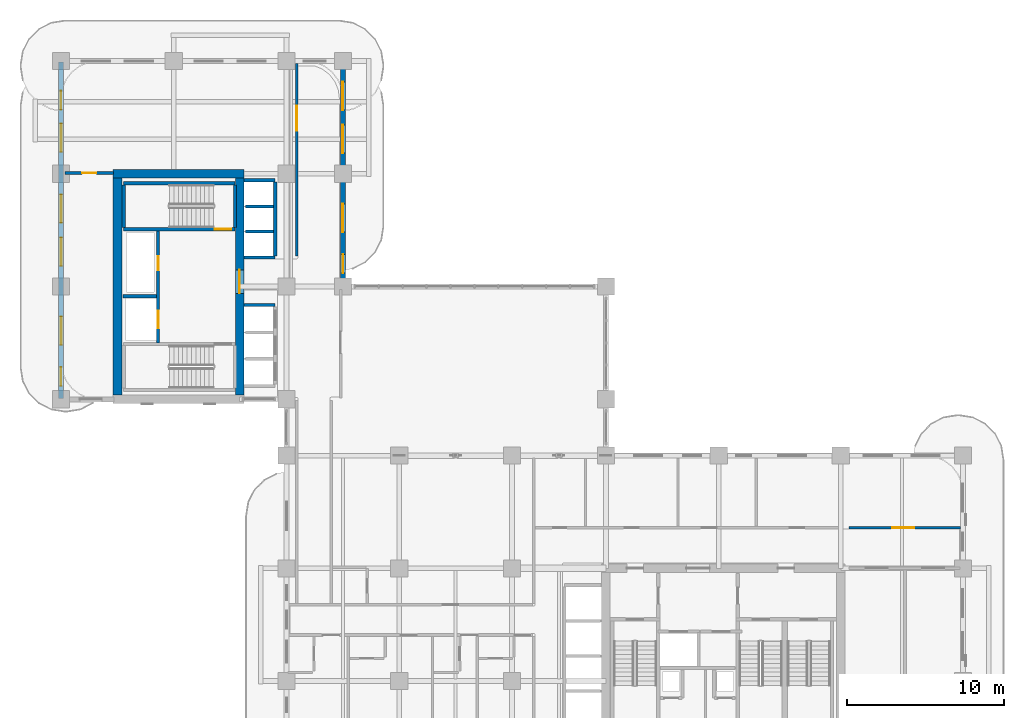
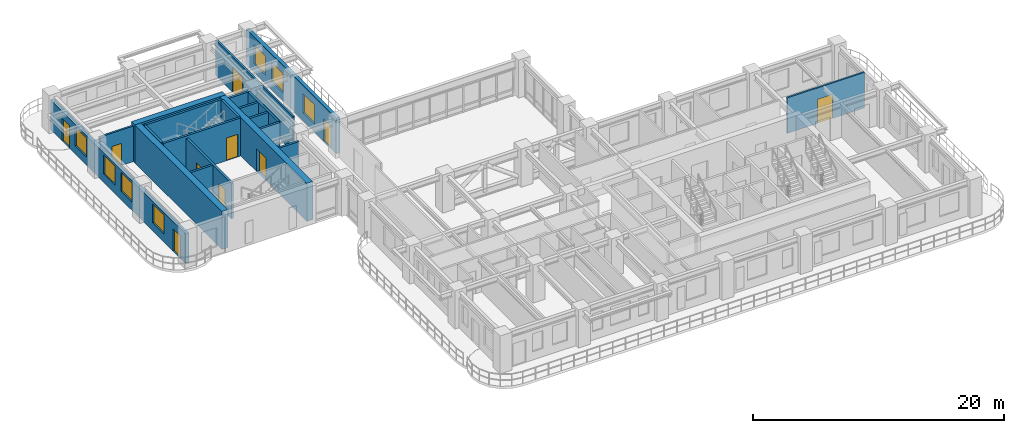
# One storey, part 15 of 21: 20 walls, 10 doors, 7 windows, 17 openings.
"""IFC4 building model written with IfcOpenShell, lengths in metres."""

import ifcopenshell
import ifcopenshell.guid

model = None  # the IFC model being written
_history = None  # IfcOwnerHistory: only IFC2X3 demands one
_inside = {}  # id of a spatial element -> (the spatial element, [elements in it])
_under = {}  # id of a project, library or spatial element -> (it, [spatial elements below it])
_declared = {}  # id of a project -> (the project, [libraries it declares])
_typed = {}  # id of a type object -> (the type object, [elements of that type])
_made_of = {}  # id of a material, layer set ... -> (it, [elements and type objects made of it])


def new_model(schema):
    """Start an empty IFC model of exactly this schema.

    Asked for "IFC4X3", IfcOpenShell would pick the latest addendum, in which some entities
    have other attributes; the version numbers below select the first issue.
    IFC2X3 requires an IfcOwnerHistory on every rooted entity: one is made here for all.
    """
    global model, _history
    if schema == "IFC4X3":
        model = ifcopenshell.file(schema_version=(4, 3, 0, 0))
    else:
        model = ifcopenshell.file(schema=schema)
    _inside.clear()
    _under.clear()
    _declared.clear()
    _typed.clear()
    _made_of.clear()
    _history = None
    if model.schema == "IFC2X3":
        org = make("IfcOrganization", Name="unknown")
        user = make(
            "IfcPersonAndOrganization",
            ThePerson=make("IfcPerson", FamilyName="unknown"),
            TheOrganization=org,
        )
        app = make(
            "IfcApplication",
            ApplicationDeveloper=org,
            Version="unknown",
            ApplicationFullName="unknown",
            ApplicationIdentifier="unknown",
        )
        _history = make(
            "IfcOwnerHistory",
            OwningUser=user,
            OwningApplication=app,
            ChangeAction="ADDED",
            CreationDate=0,
        )
    return model


def make(cls, **values):
    """One entity of the class cls with the attributes given. An attribute that is None is left unset."""
    return model.create_entity(
        cls, **{name: value for name, value in values.items() if value is not None}
    )


def rooted(cls, **values):
    """An entity with a GlobalId (a new one), such as an element, a storey or a relation."""
    return make(cls, GlobalId=ifcopenshell.guid.new(), OwnerHistory=_history, **values)


def si_unit(unit_type, name, prefix=None):
    """IfcSIUnit, for example si_unit("LENGTHUNIT", "METRE", prefix="MILLI")."""
    return make("IfcSIUnit", UnitType=unit_type, Prefix=prefix, Name=name)


def derived_unit(unit_type, elements):
    """IfcDerivedUnit: a product of units, each with its exponent."""
    return make(
        "IfcDerivedUnit",
        Elements=[
            make("IfcDerivedUnitElement", Unit=unit, Exponent=power)
            for unit, power in elements
        ],
        UnitType=unit_type,
    )


def assignment(units):
    """IfcUnitAssignment: the units of a project."""
    return None if units is None else make("IfcUnitAssignment", Units=units)


def point(xyz):
    """IfcCartesianPoint."""
    return None if xyz is None else make("IfcCartesianPoint", Coordinates=xyz)


def direction(xyz):
    """IfcDirection."""
    return None if xyz is None else make("IfcDirection", DirectionRatios=xyz)


def frame(location, z_axis=None, x_axis=None):
    """IfcAxis2Placement3D, a coordinate frame: its origin and axes. An axis left out is left unset."""
    return make(
        "IfcAxis2Placement3D",
        Location=point(location),
        Axis=direction(z_axis),
        RefDirection=direction(x_axis),
    )


def frame_2d(location, x_axis=None):
    """IfcAxis2Placement2D, a coordinate frame in the plane: its origin and x axis."""
    return make(
        "IfcAxis2Placement2D", Location=point(location), RefDirection=direction(x_axis)
    )


def origin():
    """The frame at (0, 0, 0) with its axes left unset."""
    return frame((0.0, 0.0, 0.0))


def place(relative_to, where):
    """IfcLocalPlacement: puts the frame where relative to a parent placement (None: the world)."""
    return make(
        "IfcLocalPlacement", PlacementRelTo=relative_to, RelativePlacement=where
    )


def context(
    kind, dimensions, precision=None, world=None, true_north=None, identifier=None
):
    """IfcGeometricRepresentationContext, for example the 3D "Model" context."""
    return make(
        "IfcGeometricRepresentationContext",
        ContextIdentifier=identifier,
        ContextType=kind,
        CoordinateSpaceDimension=dimensions,
        Precision=precision,
        WorldCoordinateSystem=world,
        TrueNorth=true_north,
    )


def subcontext(parent, identifier, kind, view, scale=None):
    """IfcGeometricRepresentationSubContext, for example "Body" below "Model"."""
    return make(
        "IfcGeometricRepresentationSubContext",
        ContextIdentifier=identifier,
        ContextType=kind,
        ParentContext=parent,
        TargetScale=scale,
        TargetView=view,
    )


def project(units=None, contexts=None):
    """IfcProject with its units and contexts."""
    return rooted(
        "IfcProject",
        Name="project",
        RepresentationContexts=contexts,
        UnitsInContext=assignment(units),
    )


def spatial(cls, under=None, at=None, **own):
    """A site, building, storey or space (cls), placed at a placement, below another one or the project."""
    s = rooted(cls, ObjectPlacement=at, **own)
    if under is not None:
        _under.setdefault(under.id(), (under, []))[1].append(s)
    return s


def profile(cls, at=None, kind="AREA", **sizes):
    """A parametric profile (cls). Its sizes go by their IFC names, for example OverallWidth=200.0."""
    return make(cls, ProfileType=kind, Position=at, **sizes)


def rectangle(**sizes):
    """IfcRectangleProfileDef."""
    return profile("IfcRectangleProfileDef", **sizes)


def extrude(swept, where, along, depth):
    """IfcExtrudedAreaSolid: the profile swept, set in the frame where, extruded along a direction by depth."""
    return make(
        "IfcExtrudedAreaSolid",
        SweptArea=swept,
        Position=where,
        ExtrudedDirection=direction(along),
        Depth=depth,
    )


def shape(context_of_items, identifier, shape_type, items):
    """IfcShapeRepresentation: the items that make up one representation, for example the "Body"."""
    return make(
        "IfcShapeRepresentation",
        ContextOfItems=context_of_items,
        RepresentationIdentifier=identifier,
        RepresentationType=shape_type,
        Items=items,
    )


def source(mapping_origin, context_of_items, identifier, shape_type, items):
    """IfcRepresentationMap: a shape defined once, which mapped items show again and again."""
    return make(
        "IfcRepresentationMap",
        MappingOrigin=mapping_origin,
        MappedRepresentation=shape(context_of_items, identifier, shape_type, items),
    )


def transform(
    local_origin,
    x_axis=None,
    y_axis=None,
    z_axis=None,
    scale=None,
    scale2=None,
    scale3=None,
    uniform=True,
):
    """IfcCartesianTransformationOperator3D, or its non-uniform kind. x_axis, y_axis, z_axis: its Axis1, 2, 3."""
    if uniform:
        return make(
            "IfcCartesianTransformationOperator3D",
            Axis1=direction(x_axis),
            Axis2=direction(y_axis),
            LocalOrigin=point(local_origin),
            Scale=scale,
            Axis3=direction(z_axis),
        )
    return make(
        "IfcCartesianTransformationOperator3DnonUniform",
        Axis1=direction(x_axis),
        Axis2=direction(y_axis),
        LocalOrigin=point(local_origin),
        Scale=scale,
        Axis3=direction(z_axis),
        Scale2=scale2,
        Scale3=scale3,
    )


def mapped(mapping_source, mapping_target):
    """IfcMappedItem: shows the shape of a source again, moved by a transform."""
    return make(
        "IfcMappedItem", MappingSource=mapping_source, MappingTarget=mapping_target
    )


def material(Name=None, Category=None):
    """IfcMaterial."""
    return make("IfcMaterial", Name=Name, Category=Category)


def layer(
    of_material, thickness, ventilated=None, Name=None, Category=None, Priority=None
):
    """IfcMaterialLayer: one layer of a wall or slab, of a material (None: an air gap)."""
    return make(
        "IfcMaterialLayer",
        Material=of_material,
        LayerThickness=thickness,
        IsVentilated=ventilated,
        Name=Name,
        Category=Category,
        Priority=Priority,
    )


def layer_set(layers, Name=None):
    """IfcMaterialLayerSet."""
    return make("IfcMaterialLayerSet", MaterialLayers=layers, LayerSetName=Name)


def made_of(thing, what):
    """Note that an element or type object is made of a material, layer set ...; save() writes the relation."""
    if what is not None:
        _made_of.setdefault(what.id(), (what, []))[1].append(thing)
    return thing


def type_object(cls, material=None, **own):
    """A type object (cls), such as IfcWallType, which elements share."""
    return made_of(rooted(cls, **own), material)


def type_shapes(of_type, sources):
    """Give a type object the sources (RepresentationMaps) that its elements show as mapped items."""
    of_type.RepresentationMaps = sources


def element(
    cls,
    number,
    at=None,
    inside=None,
    cuts=None,
    type_object=None,
    material=None,
    context=None,
    identifier="Body",
    shape_type=None,
    held_by="IfcProductDefinitionShape",
    body=None,
    shapes=None,
    **own,
):
    """One element of the class cls, such as IfcWall. Its Tag is "e" and its number.

    at: its placement. inside: the storey or other place that contains it. cuts: it is an
    opening in that element (IfcRelVoidsElement). A single representation is given by context,
    identifier, shape_type and body (its items); several are given by shapes. held_by: the class
    of the entity that holds the representations. save() writes the other relations.
    """
    e = rooted(cls, Tag="e%d" % number, ObjectPlacement=at, **own)
    if body is not None:
        shapes = [shape(context, identifier, shape_type, body)]
    if shapes is not None:
        e.Representation = make(held_by, Representations=shapes)
    if inside is not None:
        _inside.setdefault(inside.id(), (inside, []))[1].append(e)
    if cuts is not None:
        rooted(
            "IfcRelVoidsElement", RelatingBuildingElement=cuts, RelatedOpeningElement=e
        )
    if type_object is not None:
        _typed.setdefault(type_object.id(), (type_object, []))[1].append(e)
    return made_of(e, material)


def fill(opening, filler):
    """IfcRelFillsElement: the door or window that sits in an opening."""
    return rooted(
        "IfcRelFillsElement",
        RelatingOpeningElement=opening,
        RelatedBuildingElement=filler,
    )


def aggregate(whole, parts):
    """IfcRelAggregates: a whole, such as a stair, and the parts it consists of."""
    return rooted("IfcRelAggregates", RelatingObject=whole, RelatedObjects=parts)


def save(model, path):
    """Write the relations noted so far, then the file.

    IfcRelAggregates (storeys below a building ...), IfcRelContainedInSpatialStructure (elements
    in a storey), IfcRelDefinesByType, IfcRelAssociatesMaterial and IfcRelDeclares: one each for
    every whole, place, type object, material and project.
    """
    for whole, parts in _under.values():
        aggregate(whole, parts)
    for where, things in _inside.values():
        rooted(
            "IfcRelContainedInSpatialStructure",
            RelatedElements=things,
            RelatingStructure=where,
        )
    for kind, things in _typed.values():
        rooted("IfcRelDefinesByType", RelatedObjects=things, RelatingType=kind)
    for what, things in _made_of.values():
        rooted("IfcRelAssociatesMaterial", RelatedObjects=things, RelatingMaterial=what)
    for by, libraries in _declared.values():
        rooted("IfcRelDeclares", RelatingContext=by, RelatedDefinitions=libraries)
    model.write(path)


model = new_model("IFC4")

# Units and contexts
model_context = context("Model", 3, precision=1e-05, world=origin(), true_north=direction((0.0, 1.0)))
body_context = subcontext(model_context, "Body", "Model", "MODEL_VIEW")
ifc_project = project(units=[si_unit("LENGTHUNIT", "METRE"), si_unit("AREAUNIT", "SQUARE_METRE"), si_unit("VOLUMEUNIT", "CUBIC_METRE"), si_unit("PLANEANGLEUNIT", "RADIAN"), si_unit("MASSUNIT", "GRAM", prefix="KILO"), si_unit("THERMODYNAMICTEMPERATUREUNIT", "KELVIN"), si_unit("POWERUNIT", "WATT"), derived_unit("THERMALTRANSMITTANCEUNIT", [(si_unit("POWERUNIT", "WATT"), 1), (si_unit("AREAUNIT", "SQUARE_METRE"), -1), (si_unit("THERMODYNAMICTEMPERATUREUNIT", "KELVIN"), -1)])], contexts=[model_context])

# Site, building, storey
site_placement = place(None, origin())
site = spatial("IfcSite", under=ifc_project, at=site_placement, CompositionType="ELEMENT")
building_placement = place(site_placement, origin())
building = spatial("IfcBuilding", under=site, at=building_placement, Name="Zahravan Archway Hotel and Residences", CompositionType="ELEMENT")
storey_placement = place(building_placement, frame((0.0, 0.0, 69.39990234375)))
storey = spatial("IfcBuildingStorey", under=building, at=storey_placement, Name="L16", CompositionType="ELEMENT", Elevation=69.39990234375)

# Walls
ifc_material_1 = material(Name="Concrete C70/85", Category="concrete")
ifc_layer_1 = layer(ifc_material_1, 0.550048828125, Name="Concrete C70/85", Category="concrete")
ifc_layer_set_1 = layer_set([ifc_layer_1], Name="Concrete C70/85")
wall_type_1 = type_object("IfcWallType", Name="CW-CORE-550", PredefinedType="SHEAR", material=ifc_layer_set_1)
wall_1_placement = place(storey_placement, frame((3.324951171875, 39.60009765625, 0.0), z_axis=(0.0, 0.0, 1.0), x_axis=(1.0, 0.0, 0.0)))
element("IfcWall", 1, at=wall_1_placement, inside=storey, type_object=wall_type_1, Name="L16 Core B Shear N Wall 550 mm", PredefinedType="SHEAR", context=body_context, shape_type="SweptSolid", body=[
    extrude(rectangle(XDim=8.35009765625, YDim=0.550048828125, at=frame_2d((4.175048828125, 0.0))), origin(), (0.0, 0.0, 1.0), 3.7001953125),
])
wall_2_placement = place(storey_placement, frame((3.60009765625, 25.47509765625, 0.0), z_axis=(0.0, 0.0, 1.0), x_axis=(0.0, 1.0, 0.0)))
element("IfcWall", 2, at=wall_2_placement, inside=storey, type_object=wall_type_1, Name="L16 Core B Shear W Wall 550 mm", PredefinedType="SHEAR", context=body_context, shape_type="SweptSolid", body=[
    extrude(rectangle(XDim=13.849853515625, YDim=0.550048828125, at=frame_2d((6.9248046875, 0.0))), origin(), (0.0, 0.0, 1.0), 3.7001953125),
])

# Wall, opening, door
wall_3_placement = place(storey_placement, frame((11.39990234375, 25.47509765625, 0.0), z_axis=(0.0, 0.0, 1.0), x_axis=(0.0, 1.0, 0.0)))
wall_3 = element("IfcWall", 3, at=wall_3_placement, inside=storey, type_object=wall_type_1, Name="L16 Core B Shear E Wall 550 mm", PredefinedType="SHEAR", context=body_context, shape_type="SweptSolid", body=[
    extrude(rectangle(XDim=13.849853515625, YDim=0.550048828125, at=frame_2d((6.9248046875, 0.0))), origin(), (0.0, 0.0, 1.0), 3.7001953125),
])
opening_1_placement = place(wall_3_placement, frame((6.4951171875, 0.0, 0.0)))
opening_1 = element("IfcOpeningElement", 4, at=opening_1_placement, cuts=wall_3, Name="Opening FD-L1", PredefinedType="OPENING", context=body_context, shape_type="SweptSolid", body=[
    extrude(rectangle(XDim=1.5, YDim=2.199951171875, at=frame_2d((0.75, 1.10009765625))), frame((0.0, 0.28515625, 0.0), z_axis=(0.0, -1.0, 0.0), x_axis=(1.0, 0.0, 0.0)), (0.0, 0.0, 1.0), 0.570068359375),
])
ifc_material_2 = material(Name="Fire-Rated Painted Steel", Category="steel")
door_type_1 = type_object("IfcDoorType", Name="FD-LOBBY-1500", OperationType="DOUBLE_DOOR_SINGLE_SWING", PredefinedType="DOOR", material=ifc_material_2)
shared_shape_1 = source(origin(), body_context, "Body", "SweptSolid", [
    extrude(rectangle(XDim=1.5, YDim=2.199951171875, at=frame_2d((0.75, 1.10009765625))), frame((0.0, 0.02490234375, 0.0), z_axis=(0.0, -1.0, 0.0), x_axis=(1.0, 0.0, 0.0)), (0.0, 0.0, 1.0), 0.050048828125),
])
type_shapes(door_type_1, [shared_shape_1])
door_1_placement = place(opening_1_placement, origin())
door_1 = element("IfcDoor", 5, at=door_1_placement, inside=storey, type_object=door_type_1, Name="L16 Core B FSAE Lobby Door", OperationType="DOUBLE_DOOR_SINGLE_SWING", OverallHeight=2.199951171875, OverallWidth=1.5, PredefinedType="DOOR", context=body_context, shape_type="MappedRepresentation", body=[
    mapped(shared_shape_1, transform((0.0, 0.0, 0.0), scale=1.0)),
])
fill(opening_1, door_1)

# Wall, openings, doors, windows
ifc_material_3 = material(Name="Agra Buff Sandstone & Insulated Backup", Category="masonry")
ifc_layer_2 = layer(ifc_material_3, 0.320068359375, Name="Agra Buff Sandstone & Insulated Backup", Category="masonry")
ifc_layer_set_2 = layer_set([ifc_layer_2], Name="Agra Buff Sandstone & Insulated Backup")
wall_type_2 = type_object("IfcWallType", Name="EW-SAND-320", PredefinedType="SOLIDWALL", material=ifc_layer_set_2)
wall_4_placement = place(storey_placement, frame((0.0, 25.25, 0.0), z_axis=(0.0, 0.0, 1.0), x_axis=(0.0, 1.0, 0.0)))
wall_4 = element("IfcWall", 6, at=wall_4_placement, inside=storey, type_object=wall_type_2, Name="L16 Exterior Sandstone Wall WB-W", PredefinedType="SOLIDWALL", context=body_context, shape_type="SweptSolid", body=[
    extrude(rectangle(XDim=21.5, YDim=0.320068359375, at=frame_2d((10.75, 0.0))), origin(), (0.0, 0.0, 1.0), 2.885009765625),
])
opening_2_placement = place(wall_4_placement, frame((18.449951171875, 0.0, 0.0)))
opening_2 = element("IfcOpeningElement", 7, at=opening_2_placement, cuts=wall_4, Name="Opening ED-BL1", PredefinedType="OPENING", context=body_context, shape_type="SweptSolid", body=[
    extrude(rectangle(XDim=1.199951171875, YDim=2.199951171875, at=frame_2d((0.60009765625, 1.10009765625))), frame((0.0, 0.169921875, 0.0), z_axis=(0.0, -1.0, 0.0), x_axis=(1.0, 0.0, 0.0)), (0.0, 0.0, 1.0), 0.340087890625),
])
opening_3_placement = place(wall_4_placement, frame((0.800048828125, 0.0, 0.0)))
opening_3 = element("IfcOpeningElement", 8, at=opening_3_placement, cuts=wall_4, Name="Opening ED-BL1", PredefinedType="OPENING", context=body_context, shape_type="SweptSolid", body=[
    extrude(rectangle(XDim=1.199951171875, YDim=2.199951171875, at=frame_2d((0.60009765625, 1.10009765625))), frame((0.0, 0.169921875, 0.0), z_axis=(0.0, -1.0, 0.0), x_axis=(1.0, 0.0, 0.0)), (0.0, 0.0, 1.0), 0.340087890625),
])
opening_4_placement = place(wall_4_placement, frame((3.425048828125, 0.0, 0.800048828125)))
opening_4 = element("IfcOpeningElement", 9, at=opening_4_placement, cuts=wall_4, Name="Opening W-02", PredefinedType="OPENING", context=body_context, shape_type="SweptSolid", body=[
    extrude(rectangle(XDim=1.800048828125, YDim=1.85009765625, at=frame_2d((0.89990234375, 0.925048828125))), frame((0.0, 0.169921875, 0.0), z_axis=(0.0, -1.0, 0.0), x_axis=(1.0, 0.0, 0.0)), (0.0, 0.0, 1.0), 0.340087890625),
])
opening_5_placement = place(wall_4_placement, frame((8.47509765625, 0.0, 0.800048828125)))
opening_5 = element("IfcOpeningElement", 10, at=opening_5_placement, cuts=wall_4, Name="Opening W-02", PredefinedType="OPENING", context=body_context, shape_type="SweptSolid", body=[
    extrude(rectangle(XDim=1.800048828125, YDim=1.85009765625, at=frame_2d((0.89990234375, 0.925048828125))), frame((0.0, 0.169921875, 0.0), z_axis=(0.0, -1.0, 0.0), x_axis=(1.0, 0.0, 0.0)), (0.0, 0.0, 1.0), 0.340087890625),
])
opening_6_placement = place(wall_4_placement, frame((11.22509765625, 0.0, 0.800048828125)))
opening_6 = element("IfcOpeningElement", 11, at=opening_6_placement, cuts=wall_4, Name="Opening W-02", PredefinedType="OPENING", context=body_context, shape_type="SweptSolid", body=[
    extrude(rectangle(XDim=1.800048828125, YDim=1.85009765625, at=frame_2d((0.89990234375, 0.925048828125))), frame((0.0, 0.169921875, 0.0), z_axis=(0.0, -1.0, 0.0), x_axis=(1.0, 0.0, 0.0)), (0.0, 0.0, 1.0), 0.340087890625),
])
opening_7_placement = place(wall_4_placement, frame((15.75, 0.0, 0.800048828125)))
opening_7 = element("IfcOpeningElement", 12, at=opening_7_placement, cuts=wall_4, Name="Opening W-02", PredefinedType="OPENING", context=body_context, shape_type="SweptSolid", body=[
    extrude(rectangle(XDim=1.800048828125, YDim=1.85009765625, at=frame_2d((0.89990234375, 0.925048828125))), frame((0.0, 0.169921875, 0.0), z_axis=(0.0, -1.0, 0.0), x_axis=(1.0, 0.0, 0.0)), (0.0, 0.0, 1.0), 0.340087890625),
])
ifc_material_4 = material(Name="Bronze-Anodized Glazed Aluminium", Category="aluminium")
door_type_2 = type_object("IfcDoorType", Name="ED-BALC-1200", OperationType="SLIDING_TO_LEFT", PredefinedType="DOOR", material=ifc_material_4)
shared_shape_2 = source(origin(), body_context, "Body", "SweptSolid", [
    extrude(rectangle(XDim=1.199951171875, YDim=2.199951171875, at=frame_2d((0.60009765625, 1.10009765625))), frame((0.0, 0.02490234375, 0.0), z_axis=(0.0, -1.0, 0.0), x_axis=(1.0, 0.0, 0.0)), (0.0, 0.0, 1.0), 0.050048828125),
])
type_shapes(door_type_2, [shared_shape_2])
door_2_placement = place(opening_2_placement, origin())
door_2 = element("IfcDoor", 13, at=door_2_placement, inside=storey, type_object=door_type_2, Name="L16 Outdoor Access Sliding Door (SLB-BAL-L16-NB)", OperationType="SLIDING_TO_LEFT", OverallHeight=2.199951171875, OverallWidth=1.199951171875, PredefinedType="DOOR", context=body_context, shape_type="MappedRepresentation", body=[
    mapped(shared_shape_2, transform((0.0, 0.0, 0.0), scale=1.0)),
])
fill(opening_2, door_2)
door_3_placement = place(opening_3_placement, origin())
door_3 = element("IfcDoor", 14, at=door_3_placement, inside=storey, type_object=door_type_2, Name="L16 Outdoor Access Sliding Door (SLB-BAL-L16-WB)", OperationType="SLIDING_TO_LEFT", OverallHeight=2.199951171875, OverallWidth=1.199951171875, PredefinedType="DOOR", context=body_context, shape_type="MappedRepresentation", body=[
    mapped(shared_shape_2, transform((0.0, 0.0, 0.0), scale=1.0)),
])
fill(opening_3, door_3)
ifc_material_5 = material(Name="Bronze-Anodized Thermal-Break Aluminium & Low-E Glass", Category="aluminium")
window_type = type_object("IfcWindowType", Name="WIN-TWR-1800", PartitioningType="DOUBLE_PANEL_VERTICAL", PredefinedType="WINDOW", material=ifc_material_5)
shared_shape_3 = source(origin(), body_context, "Body", "SweptSolid", [
    extrude(rectangle(XDim=1.800048828125, YDim=1.85009765625, at=frame_2d((0.89990234375, 0.925048828125))), frame((0.0, 0.030029296875, 0.0), z_axis=(0.0, -1.0, 0.0), x_axis=(1.0, 0.0, 0.0)), (0.0, 0.0, 1.0), 0.06005859375),
])
type_shapes(window_type, [shared_shape_3])
window_1_placement = place(opening_4_placement, origin())
window_1 = element("IfcWindow", 15, at=window_1_placement, inside=storey, type_object=window_type, Name="L16 Loggia Window 32", OverallHeight=1.85009765625, OverallWidth=1.800048828125, PartitioningType="DOUBLE_PANEL_VERTICAL", PredefinedType="WINDOW", context=body_context, shape_type="MappedRepresentation", body=[
    mapped(shared_shape_3, transform((0.0, 0.0, 0.0), scale=1.0)),
])
fill(opening_4, window_1)
window_2_placement = place(opening_5_placement, origin())
window_2 = element("IfcWindow", 16, at=window_2_placement, inside=storey, type_object=window_type, Name="L16 Loggia Window 33", OverallHeight=1.85009765625, OverallWidth=1.800048828125, PartitioningType="DOUBLE_PANEL_VERTICAL", PredefinedType="WINDOW", context=body_context, shape_type="MappedRepresentation", body=[
    mapped(shared_shape_3, transform((0.0, 0.0, 0.0), scale=1.0)),
])
fill(opening_5, window_2)
window_3_placement = place(opening_6_placement, origin())
window_3 = element("IfcWindow", 17, at=window_3_placement, inside=storey, type_object=window_type, Name="L16 Loggia Window 34", OverallHeight=1.85009765625, OverallWidth=1.800048828125, PartitioningType="DOUBLE_PANEL_VERTICAL", PredefinedType="WINDOW", context=body_context, shape_type="MappedRepresentation", body=[
    mapped(shared_shape_3, transform((0.0, 0.0, 0.0), scale=1.0)),
])
fill(opening_6, window_3)
window_4_placement = place(opening_7_placement, origin())
window_4 = element("IfcWindow", 18, at=window_4_placement, inside=storey, type_object=window_type, Name="L16 Loggia Window 35", OverallHeight=1.85009765625, OverallWidth=1.800048828125, PartitioningType="DOUBLE_PANEL_VERTICAL", PredefinedType="WINDOW", context=body_context, shape_type="MappedRepresentation", body=[
    mapped(shared_shape_3, transform((0.0, 0.0, 0.0), scale=1.0)),
])
fill(opening_7, window_4)

# Wall, openings, door, windows
wall_5_placement = place(storey_placement, frame((18.0, 32.39990234375, 0.0), z_axis=(0.0, 0.0, 1.0), x_axis=(0.0, 1.0, 0.0)))
wall_5 = element("IfcWall", 19, at=wall_5_placement, inside=storey, type_object=wall_type_2, Name="L16 Exterior Sandstone Wall WB-EU", PredefinedType="SOLIDWALL", context=body_context, shape_type="SweptSolid", body=[
    extrude(rectangle(XDim=14.35009765625, YDim=0.320068359375, at=frame_2d((7.175048828125, 0.0))), origin(), (0.0, 0.0, 1.0), 3.4501953125),
])
opening_8_placement = place(wall_5_placement, frame((0.85009765625, 0.0, 0.0)))
opening_8 = element("IfcOpeningElement", 20, at=opening_8_placement, cuts=wall_5, Name="Opening ED-BL1", PredefinedType="OPENING", context=body_context, shape_type="SweptSolid", body=[
    extrude(rectangle(XDim=1.199951171875, YDim=2.199951171875, at=frame_2d((0.60009765625, 1.10009765625))), frame((0.0, 0.169921875, 0.0), z_axis=(0.0, -1.0, 0.0), x_axis=(1.0, 0.0, 0.0)), (0.0, 0.0, 1.0), 0.340087890625),
])
opening_9_placement = place(wall_5_placement, frame((3.47509765625, 0.0, 0.800048828125)))
opening_9 = element("IfcOpeningElement", 21, at=opening_9_placement, cuts=wall_5, Name="Opening W-02", PredefinedType="OPENING", context=body_context, shape_type="SweptSolid", body=[
    extrude(rectangle(XDim=1.800048828125, YDim=1.85009765625, at=frame_2d((0.89990234375, 0.925048828125))), frame((0.0, 0.169921875, 0.0), z_axis=(0.0, -1.0, 0.0), x_axis=(1.0, 0.0, 0.0)), (0.0, 0.0, 1.0), 0.340087890625),
])
opening_10_placement = place(wall_5_placement, frame((8.52490234375, 0.0, 0.800048828125)))
opening_10 = element("IfcOpeningElement", 22, at=opening_10_placement, cuts=wall_5, Name="Opening W-02", PredefinedType="OPENING", context=body_context, shape_type="SweptSolid", body=[
    extrude(rectangle(XDim=1.800048828125, YDim=1.85009765625, at=frame_2d((0.89990234375, 0.925048828125))), frame((0.0, 0.169921875, 0.0), z_axis=(0.0, -1.0, 0.0), x_axis=(1.0, 0.0, 0.0)), (0.0, 0.0, 1.0), 0.340087890625),
])
opening_11_placement = place(wall_5_placement, frame((11.27490234375, 0.0, 0.800048828125)))
opening_11 = element("IfcOpeningElement", 23, at=opening_11_placement, cuts=wall_5, Name="Opening W-02", PredefinedType="OPENING", context=body_context, shape_type="SweptSolid", body=[
    extrude(rectangle(XDim=1.800048828125, YDim=1.85009765625, at=frame_2d((0.89990234375, 0.925048828125))), frame((0.0, 0.169921875, 0.0), z_axis=(0.0, -1.0, 0.0), x_axis=(1.0, 0.0, 0.0)), (0.0, 0.0, 1.0), 0.340087890625),
])
door_4_placement = place(opening_8_placement, origin())
door_4 = element("IfcDoor", 24, at=door_4_placement, inside=storey, type_object=door_type_2, Name="L16 Outdoor Access Sliding Door (SLB-BAL-L16-EB)", OperationType="SLIDING_TO_LEFT", OverallHeight=2.199951171875, OverallWidth=1.199951171875, PredefinedType="DOOR", context=body_context, shape_type="MappedRepresentation", body=[
    mapped(shared_shape_2, transform((0.0, 0.0, 0.0), scale=1.0)),
])
fill(opening_8, door_4)
window_5_placement = place(opening_9_placement, origin())
window_5 = element("IfcWindow", 25, at=window_5_placement, inside=storey, type_object=window_type, Name="L16 Loggia Window 41", OverallHeight=1.85009765625, OverallWidth=1.800048828125, PartitioningType="DOUBLE_PANEL_VERTICAL", PredefinedType="WINDOW", context=body_context, shape_type="MappedRepresentation", body=[
    mapped(shared_shape_3, transform((0.0, 0.0, 0.0), scale=1.0)),
])
fill(opening_9, window_5)
window_6_placement = place(opening_10_placement, origin())
window_6 = element("IfcWindow", 26, at=window_6_placement, inside=storey, type_object=window_type, Name="L16 Loggia Window 42", OverallHeight=1.85009765625, OverallWidth=1.800048828125, PartitioningType="DOUBLE_PANEL_VERTICAL", PredefinedType="WINDOW", context=body_context, shape_type="MappedRepresentation", body=[
    mapped(shared_shape_3, transform((0.0, 0.0, 0.0), scale=1.0)),
])
fill(opening_10, window_6)
window_7_placement = place(opening_11_placement, origin())
window_7 = element("IfcWindow", 27, at=window_7_placement, inside=storey, type_object=window_type, Name="L16 Loggia Window 43", OverallHeight=1.85009765625, OverallWidth=1.800048828125, PartitioningType="DOUBLE_PANEL_VERTICAL", PredefinedType="WINDOW", context=body_context, shape_type="MappedRepresentation", body=[
    mapped(shared_shape_3, transform((0.0, 0.0, 0.0), scale=1.0)),
])
fill(opening_11, window_7)

# Wall, opening, door
ifc_material_6 = material(Name="Fire-Rated Gypsum & Concrete Block", Category="concrete")
ifc_layer_3 = layer(ifc_material_6, 0.159912109375, Name="Fire-Rated Gypsum & Concrete Block", Category="concrete")
ifc_layer_set_3 = layer_set([ifc_layer_3], Name="Fire-Rated Gypsum & Concrete Block")
wall_type_3 = type_object("IfcWallType", Name="PW-CORR-160", PredefinedType="PARTITIONING", material=ifc_layer_set_3)
wall_6_placement = place(storey_placement, frame((50.340087890625, 17.0, 0.0), z_axis=(0.0, 0.0, 1.0), x_axis=(1.0, 0.0, 0.0)))
wall_6 = element("IfcWall", 28, at=wall_6_placement, inside=storey, type_object=wall_type_3, Name="L16 Partition EA-PN", PredefinedType="PARTITIONING", context=body_context, shape_type="SweptSolid", body=[
    extrude(rectangle(XDim=7.091796875, YDim=0.159912109375, at=frame_2d((3.5458984375, 0.0))), origin(), (0.0, 0.0, 1.0), 3.4501953125),
])
opening_12_placement = place(wall_6_placement, frame((2.760009765625, 0.0, 0.0)))
opening_12 = element("IfcOpeningElement", 29, at=opening_12_placement, cuts=wall_6, Name="Opening D-P1", PredefinedType="OPENING", context=body_context, shape_type="SweptSolid", body=[
    extrude(rectangle(XDim=1.39990234375, YDim=2.35009765625, at=frame_2d((0.699951171875, 1.175048828125))), frame((0.0, 0.08984375, 0.0), z_axis=(0.0, -1.0, 0.0), x_axis=(1.0, 0.0, 0.0)), (0.0, 0.0, 1.0), 0.179931640625),
])
door_type_3 = type_object("IfcDoorType", Name="ID-PUBLIC-1400", OperationType="DOUBLE_DOOR_SINGLE_SWING", PredefinedType="DOOR", material=ifc_material_4)
shared_shape_4 = source(origin(), body_context, "Body", "SweptSolid", [
    extrude(rectangle(XDim=1.39990234375, YDim=2.35009765625, at=frame_2d((0.699951171875, 1.175048828125))), frame((0.0, 0.02490234375, 0.0), z_axis=(0.0, -1.0, 0.0), x_axis=(1.0, 0.0, 0.0)), (0.0, 0.0, 1.0), 0.050048828125),
])
type_shapes(door_type_3, [shared_shape_4])
door_5_placement = place(opening_12_placement, origin())
door_5 = element("IfcDoor", 30, at=door_5_placement, inside=storey, type_object=door_type_3, Name="L16 East Fitness Studio Door", OperationType="DOUBLE_DOOR_SINGLE_SWING", OverallHeight=2.35009765625, OverallWidth=1.39990234375, PredefinedType="DOOR", context=body_context, shape_type="MappedRepresentation", body=[
    mapped(shared_shape_4, transform((0.0, 0.0, 0.0), scale=1.0)),
])
fill(opening_12, door_5)

wall_7_placement = place(storey_placement, frame((15.050048828125, 34.340087890625, 0.0), z_axis=(0.0, 0.0, 1.0), x_axis=(0.0, 1.0, 0.0)))
wall_7 = element("IfcWall", 31, at=wall_7_placement, inside=storey, type_object=wall_type_3, Name="L16 Partition WBN-C", PredefinedType="PARTITIONING", context=body_context, shape_type="SweptSolid", body=[
    extrude(rectangle(XDim=12.2919921875, YDim=0.159912109375, at=frame_2d((6.14599609375, 0.0))), origin(), (0.0, 0.0, 1.0), 3.4501953125),
])
opening_13_placement = place(wall_7_placement, frame((8.010009765625, 0.0, 0.0)))
opening_13 = element("IfcOpeningElement", 32, at=opening_13_placement, cuts=wall_7, Name="Opening D-P2", PredefinedType="OPENING", context=body_context, shape_type="SweptSolid", body=[
    extrude(rectangle(XDim=1.60009765625, YDim=2.39990234375, at=frame_2d((0.800048828125, 1.199951171875))), frame((0.0, 0.08984375, 0.0), z_axis=(0.0, -1.0, 0.0), x_axis=(1.0, 0.0, 0.0)), (0.0, 0.0, 1.0), 0.179931640625),
])
door_type_4 = type_object("IfcDoorType", Name="ID-PUBLIC-1600", OperationType="DOUBLE_DOOR_SINGLE_SWING", PredefinedType="DOOR", material=ifc_material_4)
shared_shape_5 = source(origin(), body_context, "Body", "SweptSolid", [
    extrude(rectangle(XDim=1.60009765625, YDim=2.39990234375, at=frame_2d((0.800048828125, 1.199951171875))), frame((0.0, 0.02490234375, 0.0), z_axis=(0.0, -1.0, 0.0), x_axis=(1.0, 0.0, 0.0)), (0.0, 0.0, 1.0), 0.050048828125),
])
type_shapes(door_type_4, [shared_shape_5])
door_6_placement = place(opening_13_placement, origin())
door_6 = element("IfcDoor", 33, at=door_6_placement, inside=storey, type_object=door_type_4, Name="L16 North Wing Spa Salon Door", OperationType="DOUBLE_DOOR_SINGLE_SWING", OverallHeight=2.39990234375, OverallWidth=1.60009765625, PredefinedType="DOOR", context=body_context, shape_type="MappedRepresentation", body=[
    mapped(shared_shape_5, transform((0.0, 0.0, 0.0), scale=1.0)),
])
fill(opening_13, door_6)

# Wall, openings, doors
ifc_layer_4 = layer(ifc_material_6, 0.199951171875, Name="Fire-Rated Gypsum & Concrete Block", Category="concrete")
ifc_layer_set_4 = layer_set([ifc_layer_4], Name="Fire-Rated Gypsum & Concrete Block")
wall_type_4 = type_object("IfcWallType", Name="PW-SHAFT-200", PredefinedType="PARTITIONING", material=ifc_layer_set_4)
wall_8_placement = place(storey_placement, frame((6.199951171875, 28.7900390625, 0.0), z_axis=(0.0, 0.0, 1.0), x_axis=(0.0, 1.0, 0.0)))
wall_8 = element("IfcWall", 34, at=wall_8_placement, inside=storey, type_object=wall_type_4, Name="L16 Partition CB-FL3E", PredefinedType="PARTITIONING", context=body_context, shape_type="SweptSolid", body=[
    extrude(rectangle(XDim=7.219970703125, YDim=0.199951171875, at=frame_2d((3.60986328125, 0.0))), origin(), (0.0, 0.0, 1.0), 3.4501953125),
])
opening_14_placement = place(wall_8_placement, frame((4.659912109375, 0.0, 0.0)))
opening_14 = element("IfcOpeningElement", 35, at=opening_14_placement, cuts=wall_8, Name="Opening FD-R1", PredefinedType="OPENING", context=body_context, shape_type="SweptSolid", body=[
    extrude(rectangle(XDim=0.89990234375, YDim=2.10009765625, at=frame_2d((0.449951171875, 1.050048828125))), frame((0.0, 0.10986328125, 0.0), z_axis=(0.0, -1.0, 0.0), x_axis=(1.0, 0.0, 0.0)), (0.0, 0.0, 1.0), 0.219970703125),
])
opening_15_placement = place(wall_8_placement, frame((0.9599609375, 0.0, 0.0)))
opening_15 = element("IfcOpeningElement", 36, at=opening_15_placement, cuts=wall_8, Name="Opening LD", PredefinedType="OPENING", context=body_context, shape_type="SweptSolid", body=[
    extrude(rectangle(XDim=1.10009765625, YDim=2.199951171875, at=frame_2d((0.550048828125, 1.10009765625))), frame((0.0, 0.10986328125, 0.0), z_axis=(0.0, -1.0, 0.0), x_axis=(1.0, 0.0, 0.0)), (0.0, 0.0, 1.0), 0.219970703125),
])
door_type_5 = type_object("IfcDoorType", Name="FD-RISER-900", OperationType="NOTDEFINED", PredefinedType="DOOR", material=ifc_material_2)
shared_shape_6 = source(origin(), body_context, "Body", "SweptSolid", [
    extrude(rectangle(XDim=0.89990234375, YDim=2.10009765625, at=frame_2d((0.449951171875, 1.050048828125))), frame((0.0, 0.02490234375, 0.0), z_axis=(0.0, -1.0, 0.0), x_axis=(1.0, 0.0, 0.0)), (0.0, 0.0, 1.0), 0.050048828125),
])
type_shapes(door_type_5, [shared_shape_6])
door_7_placement = place(opening_14_placement, origin())
door_7 = element("IfcDoor", 37, at=door_7_placement, inside=storey, type_object=door_type_5, Name="L16 Core B Riser Door", OperationType="SINGLE_SWING_RIGHT", OverallHeight=2.10009765625, OverallWidth=0.89990234375, PredefinedType="DOOR", context=body_context, shape_type="MappedRepresentation", body=[
    mapped(shared_shape_6, transform((0.0, 0.0, 0.0), scale=1.0)),
])
fill(opening_14, door_7)
ifc_material_7 = material(Name="Brushed Stainless Steel", Category="steel")
door_type_6 = type_object("IfcDoorType", Name="DR-LIFT-LD", OperationType="SLIDING_TO_LEFT", PredefinedType="DOOR", material=ifc_material_7)
shared_shape_7 = source(origin(), body_context, "Body", "SweptSolid", [
    extrude(rectangle(XDim=1.10009765625, YDim=2.199951171875, at=frame_2d((0.550048828125, 1.10009765625))), frame((0.0, 0.02490234375, 0.0), z_axis=(0.0, -1.0, 0.0), x_axis=(1.0, 0.0, 0.0)), (0.0, 0.0, 1.0), 0.050048828125),
])
type_shapes(door_type_6, [shared_shape_7])
door_8_placement = place(opening_15_placement, origin())
door_8 = element("IfcDoor", 38, at=door_8_placement, inside=storey, type_object=door_type_6, Name="L16 Lift FL-3 Sliding Landing Door", OperationType="SLIDING_TO_LEFT", OverallHeight=2.199951171875, OverallWidth=1.10009765625, PredefinedType="DOOR", context=body_context, shape_type="MappedRepresentation", body=[
    mapped(shared_shape_7, transform((0.0, 0.0, 0.0), scale=1.0)),
])
fill(opening_15, door_8)

# Walls
wall_9_placement = place(storey_placement, frame((3.9599609375, 31.780029296875, 0.0), z_axis=(0.0, 0.0, 1.0), x_axis=(1.0, 0.0, 0.0)))
element("IfcWall", 39, at=wall_9_placement, inside=storey, type_object=wall_type_4, Name="L16 Partition CB-FL3N", PredefinedType="PARTITIONING", context=body_context, shape_type="SweptSolid", body=[
    extrude(rectangle(XDim=2.130126953125, YDim=0.199951171875, at=frame_2d((1.06494140625, 0.0))), origin(), (0.0, 0.0, 1.0), 3.4501953125),
])
for number, where, z_axis, x_axis, name in (
    (40, (11.68505859375, 31.2099609375, 0.0), (0.0, 0.0, 1.0), (1.0, 0.0, 0.0), "L16 Partition B1-N"),
    (41, (11.68505859375, 34.25, 0.0), (0.0, 0.0, 1.0), (1.0, 0.0, 0.0), "L16 Partition B2-S"),
    (42, (11.68505859375, 39.18994140625, 0.0), (0.0, 0.0, 1.0), (1.0, 0.0, 0.0), "L16 Partition B2-N"),
):
    element("IfcWall", number, at=place(storey_placement, frame(where, z_axis=z_axis, x_axis=x_axis)), inside=storey, type_object=wall_type_4, Name=name, PredefinedType="PARTITIONING", context=body_context, shape_type="SweptSolid", body=[
        extrude(rectangle(XDim=1.98486328125, YDim=0.199951171875, at=frame_2d((0.992431640625, 0.0))), origin(), (0.0, 0.0, 1.0), 3.4501953125),
    ])
wall_10_placement = place(storey_placement, frame((13.679931640625, 34.360107421875, 0.0), z_axis=(0.0, 0.0, 1.0), x_axis=(0.0, 1.0, 0.0)))
element("IfcWall", 43, at=wall_10_placement, inside=storey, type_object=wall_type_4, Name="L16 Partition B2-E", PredefinedType="PARTITIONING", context=body_context, shape_type="SweptSolid", body=[
    extrude(rectangle(XDim=4.719970703125, YDim=0.199951171875, at=frame_2d((2.35986328125, 0.0))), origin(), (0.0, 0.0, 1.0), 3.4501953125),
])
for number, where, z_axis, x_axis, name in (
    (44, (11.784912109375, 35.919921875, 0.0), (0.0, 0.0, 1.0), (1.0, 0.0, 0.0), "L16 Partition B2-D"),
    (45, (11.784912109375, 37.52001953125, 0.0), (0.0, 0.0, 1.0), (1.0, 0.0, 0.0), "L16 Partition B2-D"),
):
    element("IfcWall", number, at=place(storey_placement, frame(where, z_axis=z_axis, x_axis=x_axis)), inside=storey, type_object=wall_type_4, Name=name, PredefinedType="PARTITIONING", context=body_context, shape_type="SweptSolid", body=[
        extrude(rectangle(XDim=1.78515625, YDim=0.199951171875, at=frame_2d((0.892578125, 0.0))), origin(), (0.0, 0.0, 1.0), 3.4501953125),
    ])

# Wall, opening, door
ifc_material_8 = material(Name="Acoustic Stud Partition")
ifc_layer_5 = layer(ifc_material_8, 0.169921875, Name="Acoustic Stud Partition")
ifc_layer_set_5 = layer_set([ifc_layer_5], Name="Acoustic Stud Partition")
wall_type_5 = type_object("IfcWallType", Name="PW-UNIT-170", PredefinedType="PARTITIONING", material=ifc_layer_set_5)
wall_11_placement = place(storey_placement, frame((0.239990234375, 39.64990234375, 0.0), z_axis=(0.0, 0.0, 1.0), x_axis=(1.0, 0.0, 0.0)))
wall_11 = element("IfcWall", 46, at=wall_11_placement, inside=storey, type_object=wall_type_5, Name="L16 Partition WBW-N", PredefinedType="PARTITIONING", context=body_context, shape_type="SweptSolid", body=[
    extrude(rectangle(XDim=3.1201171875, YDim=0.169921875, at=frame_2d((1.56005859375, 0.0))), origin(), (0.0, 0.0, 1.0), 3.4501953125),
])
opening_16_placement = place(wall_11_placement, frame((1.110107421875, 0.0, 0.0)))
opening_16 = element("IfcOpeningElement", 47, at=opening_16_placement, cuts=wall_11, Name="Opening D-I2", PredefinedType="OPENING", context=body_context, shape_type="SweptSolid", body=[
    extrude(rectangle(XDim=0.89990234375, YDim=2.14990234375, at=frame_2d((0.449951171875, 1.074951171875))), frame((0.0, 0.094970703125, 0.0), z_axis=(0.0, -1.0, 0.0), x_axis=(1.0, 0.0, 0.0)), (0.0, 0.0, 1.0), 0.18994140625),
])
ifc_material_9 = material(Name="Hardwood Veneer Timber", Category="wood")
door_type_7 = type_object("IfcDoorType", Name="ID-INT-900", OperationType="NOTDEFINED", PredefinedType="DOOR", material=ifc_material_9)
shared_shape_8 = source(origin(), body_context, "Body", "SweptSolid", [
    extrude(rectangle(XDim=0.89990234375, YDim=2.14990234375, at=frame_2d((0.449951171875, 1.074951171875))), frame((0.0, 0.02490234375, 0.0), z_axis=(0.0, -1.0, 0.0), x_axis=(1.0, 0.0, 0.0)), (0.0, 0.0, 1.0), 0.050048828125),
])
type_shapes(door_type_7, [shared_shape_8])
door_9_placement = place(opening_16_placement, origin())
door_9 = element("IfcDoor", 48, at=door_9_placement, inside=storey, type_object=door_type_7, Name="L16 West Loggia Salon Door", OperationType="SINGLE_SWING_RIGHT", OverallHeight=2.14990234375, OverallWidth=0.89990234375, PredefinedType="DOOR", context=body_context, shape_type="MappedRepresentation", body=[
    mapped(shared_shape_8, transform((0.0, 0.0, 0.0), scale=1.0)),
])
fill(opening_16, door_9)

# Walls
ifc_material_10 = material(Name="Concrete C50/60", Category="concrete")
ifc_layer_6 = layer(ifc_material_10, 0.199951171875, Name="Concrete C50/60", Category="concrete")
ifc_layer_set_6 = layer_set([ifc_layer_6], Name="Concrete C50/60")
wall_type_6 = type_object("IfcWallType", Name="SW-STAIR-200", PredefinedType="SHEAR", material=ifc_layer_set_6)
wall_12_placement = place(storey_placement, frame((4.0, 39.0, 0.0), z_axis=(0.0, 0.0, 1.0), x_axis=(1.0, 0.0, 0.0)))
element("IfcWall", 49, at=wall_12_placement, inside=storey, type_object=wall_type_6, Name="L16 Stairwell RC Wall CB-SB2N", PredefinedType="SHEAR", context=body_context, shape_type="SweptSolid", body=[
    extrude(rectangle(XDim=7.10009765625, YDim=0.199951171875, at=frame_2d((3.550048828125, 0.0))), origin(), (0.0, 0.0, 1.0), 3.7001953125),
])
for number, where, z_axis, x_axis, name in (
    (50, (4.0, 36.179931640625, 0.0), (0.0, 0.0, 1.0), (0.0, 1.0, 0.0), "L16 Stairwell RC Wall CB-SB2W"),
    (51, (11.10009765625, 36.179931640625, 0.0), (0.0, 0.0, 1.0), (0.0, 1.0, 0.0), "L16 Stairwell RC Wall CB-SB2E"),
):
    element("IfcWall", number, at=place(storey_placement, frame(where, z_axis=z_axis, x_axis=x_axis)), inside=storey, type_object=wall_type_6, Name=name, PredefinedType="SHEAR", context=body_context, shape_type="SweptSolid", body=[
        extrude(rectangle(XDim=2.699951171875, YDim=0.199951171875, at=frame_2d((1.35009765625, 0.0))), origin(), (0.0, 0.0, 1.0), 3.7001953125),
    ])

# Wall, opening, door
wall_13_placement = place(storey_placement, frame((4.0, 36.06005859375, 0.0), z_axis=(0.0, 0.0, 1.0), x_axis=(1.0, 0.0, 0.0)))
wall_13 = element("IfcWall", 52, at=wall_13_placement, inside=storey, type_object=wall_type_6, Name="L16 Stairwell RC Wall CB-SB2S", PredefinedType="SHEAR", context=body_context, shape_type="SweptSolid", body=[
    extrude(rectangle(XDim=7.10009765625, YDim=0.199951171875, at=frame_2d((3.550048828125, 0.0))), origin(), (0.0, 0.0, 1.0), 3.7001953125),
])
opening_17_placement = place(wall_13_placement, frame((5.81494140625, 0.0, 0.0)))
opening_17 = element("IfcOpeningElement", 53, at=opening_17_placement, cuts=wall_13, Name="Opening FD-S1", PredefinedType="OPENING", context=body_context, shape_type="SweptSolid", body=[
    extrude(rectangle(XDim=1.050048828125, YDim=2.199951171875, at=frame_2d((0.52490234375, 1.10009765625))), frame((0.0, 0.10986328125, 0.0), z_axis=(0.0, -1.0, 0.0), x_axis=(1.0, 0.0, 0.0)), (0.0, 0.0, 1.0), 0.219970703125),
])
door_type_8 = type_object("IfcDoorType", Name="FD-STAIR-1100", OperationType="NOTDEFINED", PredefinedType="DOOR", material=ifc_material_2)
shared_shape_9 = source(origin(), body_context, "Body", "SweptSolid", [
    extrude(rectangle(XDim=1.050048828125, YDim=2.199951171875, at=frame_2d((0.52490234375, 1.10009765625))), frame((0.0, 0.02490234375, 0.0), z_axis=(0.0, -1.0, 0.0), x_axis=(1.0, 0.0, 0.0)), (0.0, 0.0, 1.0), 0.050048828125),
])
type_shapes(door_type_8, [shared_shape_9])
door_10_placement = place(opening_17_placement, origin())
door_10 = element("IfcDoor", 54, at=door_10_placement, inside=storey, type_object=door_type_8, Name="L16 Stair ST-B2 Door", OperationType="SINGLE_SWING_LEFT", OverallHeight=2.199951171875, OverallWidth=1.050048828125, PredefinedType="DOOR", context=body_context, shape_type="MappedRepresentation", body=[
    mapped(shared_shape_9, transform((0.0, 0.0, 0.0), scale=1.0)),
])
fill(opening_17, door_10)

save(model, "model.ifc")
